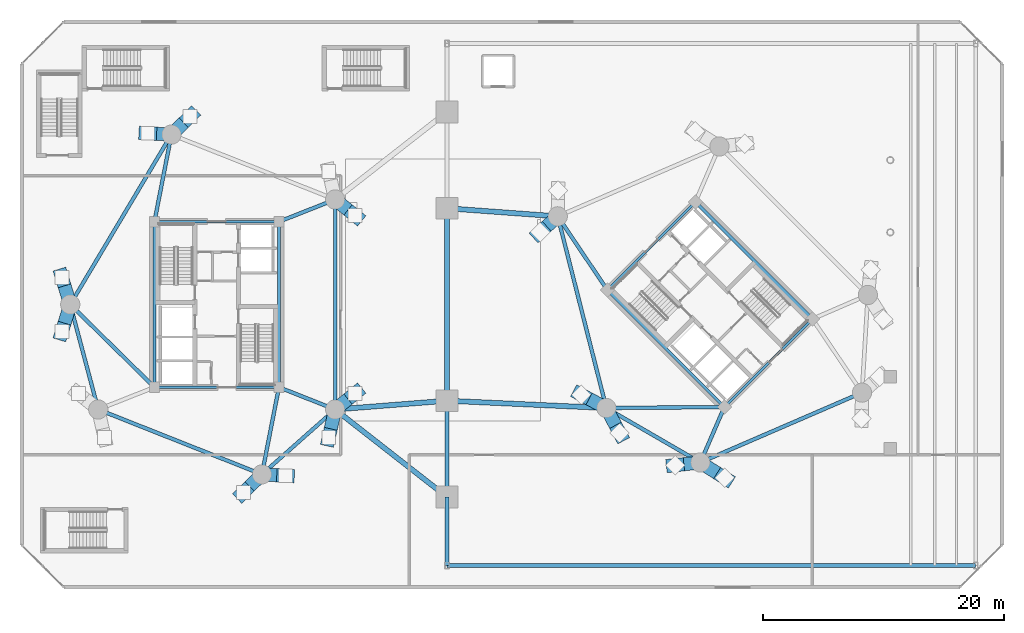
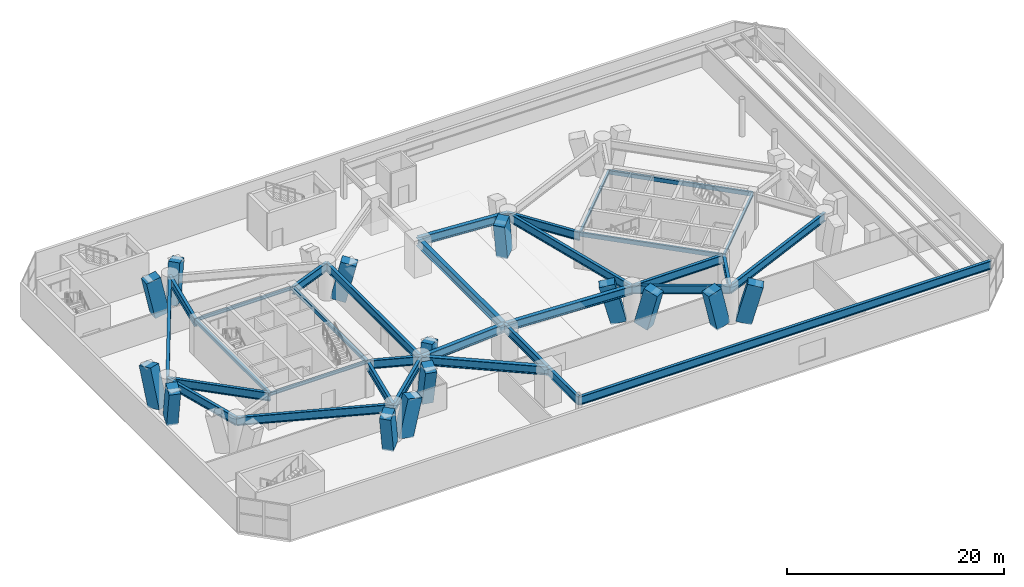
# One storey, part 4 of 20: 32 beams, 14 members.
"""IFC4 building model written with IfcOpenShell, lengths in metres."""

import ifcopenshell
import ifcopenshell.guid

model = None  # the IFC model being written
_history = None  # IfcOwnerHistory: only IFC2X3 demands one
_inside = {}  # id of a spatial element -> (the spatial element, [elements in it])
_under = {}  # id of a project, library or spatial element -> (it, [spatial elements below it])
_declared = {}  # id of a project -> (the project, [libraries it declares])
_typed = {}  # id of a type object -> (the type object, [elements of that type])
_made_of = {}  # id of a material, layer set ... -> (it, [elements and type objects made of it])


def new_model(schema):
    """Start an empty IFC model of exactly this schema.

    Asked for "IFC4X3", IfcOpenShell would pick the latest addendum, in which some entities
    have other attributes; the version numbers below select the first issue.
    IFC2X3 requires an IfcOwnerHistory on every rooted entity: one is made here for all.
    """
    global model, _history
    if schema == "IFC4X3":
        model = ifcopenshell.file(schema_version=(4, 3, 0, 0))
    else:
        model = ifcopenshell.file(schema=schema)
    _inside.clear()
    _under.clear()
    _declared.clear()
    _typed.clear()
    _made_of.clear()
    _history = None
    if model.schema == "IFC2X3":
        org = make("IfcOrganization", Name="unknown")
        user = make(
            "IfcPersonAndOrganization",
            ThePerson=make("IfcPerson", FamilyName="unknown"),
            TheOrganization=org,
        )
        app = make(
            "IfcApplication",
            ApplicationDeveloper=org,
            Version="unknown",
            ApplicationFullName="unknown",
            ApplicationIdentifier="unknown",
        )
        _history = make(
            "IfcOwnerHistory",
            OwningUser=user,
            OwningApplication=app,
            ChangeAction="ADDED",
            CreationDate=0,
        )
    return model


def make(cls, **values):
    """One entity of the class cls with the attributes given. An attribute that is None is left unset."""
    return model.create_entity(
        cls, **{name: value for name, value in values.items() if value is not None}
    )


def rooted(cls, **values):
    """An entity with a GlobalId (a new one), such as an element, a storey or a relation."""
    return make(cls, GlobalId=ifcopenshell.guid.new(), OwnerHistory=_history, **values)


def si_unit(unit_type, name, prefix=None):
    """IfcSIUnit, for example si_unit("LENGTHUNIT", "METRE", prefix="MILLI")."""
    return make("IfcSIUnit", UnitType=unit_type, Prefix=prefix, Name=name)


def assignment(units):
    """IfcUnitAssignment: the units of a project."""
    return None if units is None else make("IfcUnitAssignment", Units=units)


def point(xyz):
    """IfcCartesianPoint."""
    return None if xyz is None else make("IfcCartesianPoint", Coordinates=xyz)


def direction(xyz):
    """IfcDirection."""
    return None if xyz is None else make("IfcDirection", DirectionRatios=xyz)


def frame(location, z_axis=None, x_axis=None):
    """IfcAxis2Placement3D, a coordinate frame: its origin and axes. An axis left out is left unset."""
    return make(
        "IfcAxis2Placement3D",
        Location=point(location),
        Axis=direction(z_axis),
        RefDirection=direction(x_axis),
    )


def frame_2d(location, x_axis=None):
    """IfcAxis2Placement2D, a coordinate frame in the plane: its origin and x axis."""
    return make(
        "IfcAxis2Placement2D", Location=point(location), RefDirection=direction(x_axis)
    )


def origin():
    """The frame at (0, 0, 0) with its axes left unset."""
    return frame((0.0, 0.0, 0.0))


def origin_2d():
    """The frame at (0, 0) in the plane with its x axis left unset."""
    return frame_2d((0.0, 0.0))


def place(relative_to, where):
    """IfcLocalPlacement: puts the frame where relative to a parent placement (None: the world)."""
    return make(
        "IfcLocalPlacement", PlacementRelTo=relative_to, RelativePlacement=where
    )


def context(
    kind, dimensions, precision=None, world=None, true_north=None, identifier=None
):
    """IfcGeometricRepresentationContext, for example the 3D "Model" context."""
    return make(
        "IfcGeometricRepresentationContext",
        ContextIdentifier=identifier,
        ContextType=kind,
        CoordinateSpaceDimension=dimensions,
        Precision=precision,
        WorldCoordinateSystem=world,
        TrueNorth=true_north,
    )


def subcontext(parent, identifier, kind, view, scale=None):
    """IfcGeometricRepresentationSubContext, for example "Body" below "Model"."""
    return make(
        "IfcGeometricRepresentationSubContext",
        ContextIdentifier=identifier,
        ContextType=kind,
        ParentContext=parent,
        TargetScale=scale,
        TargetView=view,
    )


def project(units=None, contexts=None):
    """IfcProject with its units and contexts."""
    return rooted(
        "IfcProject",
        Name="project",
        RepresentationContexts=contexts,
        UnitsInContext=assignment(units),
    )


def spatial(cls, under=None, at=None, **own):
    """A site, building, storey or space (cls), placed at a placement, below another one or the project."""
    s = rooted(cls, ObjectPlacement=at, **own)
    if under is not None:
        _under.setdefault(under.id(), (under, []))[1].append(s)
    return s


def profile(cls, at=None, kind="AREA", **sizes):
    """A parametric profile (cls). Its sizes go by their IFC names, for example OverallWidth=200.0."""
    return make(cls, ProfileType=kind, Position=at, **sizes)


def rectangle(**sizes):
    """IfcRectangleProfileDef."""
    return profile("IfcRectangleProfileDef", **sizes)


def hollow_rectangle(**sizes):
    """IfcRectangleHollowProfileDef."""
    return profile("IfcRectangleHollowProfileDef", **sizes)


def i_section(**sizes):
    """IfcIShapeProfileDef."""
    return profile("IfcIShapeProfileDef", **sizes)


def extrude(swept, where, along, depth):
    """IfcExtrudedAreaSolid: the profile swept, set in the frame where, extruded along a direction by depth."""
    return make(
        "IfcExtrudedAreaSolid",
        SweptArea=swept,
        Position=where,
        ExtrudedDirection=direction(along),
        Depth=depth,
    )


def shape(context_of_items, identifier, shape_type, items):
    """IfcShapeRepresentation: the items that make up one representation, for example the "Body"."""
    return make(
        "IfcShapeRepresentation",
        ContextOfItems=context_of_items,
        RepresentationIdentifier=identifier,
        RepresentationType=shape_type,
        Items=items,
    )


def material(Name=None, Category=None):
    """IfcMaterial."""
    return make("IfcMaterial", Name=Name, Category=Category)


def material_profile(
    of_material, cross_section, Name=None, Category=None, Priority=None
):
    """IfcMaterialProfile: a cross section and its material."""
    return make(
        "IfcMaterialProfile",
        Name=Name,
        Material=of_material,
        Profile=cross_section,
        Priority=Priority,
        Category=Category,
    )


def profile_set(profiles, Name=None, composite=None):
    """IfcMaterialProfileSet."""
    return make(
        "IfcMaterialProfileSet",
        Name=Name,
        MaterialProfiles=profiles,
        CompositeProfile=composite,
    )


def made_of(thing, what):
    """Note that an element or type object is made of a material, layer set ...; save() writes the relation."""
    if what is not None:
        _made_of.setdefault(what.id(), (what, []))[1].append(thing)
    return thing


def type_object(cls, material=None, **own):
    """A type object (cls), such as IfcWallType, which elements share."""
    return made_of(rooted(cls, **own), material)


def element(
    cls,
    number,
    at=None,
    inside=None,
    cuts=None,
    type_object=None,
    material=None,
    context=None,
    identifier="Body",
    shape_type=None,
    held_by="IfcProductDefinitionShape",
    body=None,
    shapes=None,
    **own,
):
    """One element of the class cls, such as IfcWall. Its Tag is "e" and its number.

    at: its placement. inside: the storey or other place that contains it. cuts: it is an
    opening in that element (IfcRelVoidsElement). A single representation is given by context,
    identifier, shape_type and body (its items); several are given by shapes. held_by: the class
    of the entity that holds the representations. save() writes the other relations.
    """
    e = rooted(cls, Tag="e%d" % number, ObjectPlacement=at, **own)
    if body is not None:
        shapes = [shape(context, identifier, shape_type, body)]
    if shapes is not None:
        e.Representation = make(held_by, Representations=shapes)
    if inside is not None:
        _inside.setdefault(inside.id(), (inside, []))[1].append(e)
    if cuts is not None:
        rooted(
            "IfcRelVoidsElement", RelatingBuildingElement=cuts, RelatedOpeningElement=e
        )
    if type_object is not None:
        _typed.setdefault(type_object.id(), (type_object, []))[1].append(e)
    return made_of(e, material)


def aggregate(whole, parts):
    """IfcRelAggregates: a whole, such as a stair, and the parts it consists of."""
    return rooted("IfcRelAggregates", RelatingObject=whole, RelatedObjects=parts)


def save(model, path):
    """Write the relations noted so far, then the file.

    IfcRelAggregates (storeys below a building ...), IfcRelContainedInSpatialStructure (elements
    in a storey), IfcRelDefinesByType, IfcRelAssociatesMaterial and IfcRelDeclares: one each for
    every whole, place, type object, material and project.
    """
    for whole, parts in _under.values():
        aggregate(whole, parts)
    for where, things in _inside.values():
        rooted(
            "IfcRelContainedInSpatialStructure",
            RelatedElements=things,
            RelatingStructure=where,
        )
    for kind, things in _typed.values():
        rooted("IfcRelDefinesByType", RelatedObjects=things, RelatingType=kind)
    for what, things in _made_of.values():
        rooted("IfcRelAssociatesMaterial", RelatedObjects=things, RelatingMaterial=what)
    for by, libraries in _declared.values():
        rooted("IfcRelDeclares", RelatingContext=by, RelatedDefinitions=libraries)
    model.write(path)


model = new_model("IFC4")

# Units and contexts
model_context = context("Model", 3, precision=1e-05, world=origin(), true_north=direction((0.0, 1.0)))
body_context = subcontext(model_context, "Body", "Model", "MODEL_VIEW")
ifc_project = project(units=[si_unit("LENGTHUNIT", "METRE"), si_unit("AREAUNIT", "SQUARE_METRE"), si_unit("VOLUMEUNIT", "CUBIC_METRE"), si_unit("PLANEANGLEUNIT", "RADIAN"), si_unit("MASSUNIT", "GRAM", prefix="KILO")], contexts=[model_context])

# Site, building, storey
site_placement = place(None, origin())
site = spatial("IfcSite", under=ifc_project, at=site_placement, CompositionType="ELEMENT")
building_placement = place(site_placement, origin())
building = spatial("IfcBuilding", under=site, at=building_placement, Name="Cununo Teusaquillo Station Towers", CompositionType="ELEMENT")
storey_placement = place(building_placement, frame((0.0, 0.0, 4.800048828125)))
storey = spatial("IfcBuildingStorey", under=building, at=storey_placement, Name="L01", CompositionType="ELEMENT", Elevation=4.800048828125)

# Beams
ifc_material_1 = material(Name="Steel EN 10025-2 S355J2", Category="steel")
ifc_material_profile_1 = material_profile(ifc_material_1, hollow_rectangle(XDim=0.25, YDim=0.449951171875, WallThickness=0.01611328125, at=origin_2d()), Name="RHS 450x250x16")
ifc_profile_set_1 = profile_set([ifc_material_profile_1], Name="Steel EN 10025-2 S355J2")
beam_type_1 = type_object("IfcBeamType", Name="BM-COUP-1", PredefinedType="USERDEFINED", material=ifc_profile_set_1)
for number, where, z_axis, x_axis, name in (
    (1, (11.324951171875, 17.6201171875, 3.675048828125), (0.0, 1.0, 0.0), (-1.0, 0.0, 0.0), "L01 Tower A Core Beam 1"),
    (2, (21.675048828125, 17.6201171875, 3.675048828125), (0.0, 1.0, 0.0), (-1.0, 0.0, 0.0), "L01 Tower A Core Beam 2"),
):
    element("IfcBeam", number, at=place(storey_placement, frame(where, z_axis=z_axis, x_axis=x_axis)), inside=storey, type_object=beam_type_1, Name=name, ObjectType="COUPLING BEAM", PredefinedType="USERDEFINED", context=body_context, shape_type="SweptSolid", body=[
        extrude(hollow_rectangle(XDim=0.25, YDim=0.449951171875, WallThickness=0.01611328125, at=origin_2d()), origin(), (0.0, 0.0, 1.0), 13.759765625),
    ])
for number, where, z_axis, x_axis, name in (
    (3, (58.70556640625, 15.975830078125, 3.675048828125), (-0.707106781187, 0.707106781187, 0.0), (-0.707106781187, -0.707106781187, 0.0), "L01 Tower B Core Beam 1"),
    (4, (66.024169921875, 23.29443359375, 3.675048828125), (-0.707106781187, 0.707106781187, 0.0), (-0.707106781187, -0.707106781187, 0.0), "L01 Tower B Core Beam 2"),
):
    element("IfcBeam", number, at=place(storey_placement, frame(where, z_axis=z_axis, x_axis=x_axis)), inside=storey, type_object=beam_type_1, Name=name, ObjectType="COUPLING BEAM", PredefinedType="USERDEFINED", context=body_context, shape_type="SweptSolid", body=[
        extrude(hollow_rectangle(XDim=0.25, YDim=0.449951171875, WallThickness=0.01611328125, at=origin_2d()), origin(), (0.0, 0.0, 1.0), 13.760009765625),
    ])
ifc_material_2 = material(Name="Steel ASTM A572 Grade 50", Category="steel")
ifc_material_profile_2 = material_profile(ifc_material_2, i_section(OverallWidth=0.2041015625, OverallDepth=0.35009765625, WebThickness=0.008544921875, FlangeThickness=0.01513671875, FilletRadius=0.011962890625, at=origin_2d()), Name="W14X48")
ifc_profile_set_2 = profile_set([ifc_material_profile_2], Name="Steel ASTM A572 Grade 50")
beam_type_2 = type_object("IfcBeamType", Name="BM-LINTEL-1", PredefinedType="LINTEL", material=ifc_profile_set_2)
for number, where, z_axis, x_axis, name in (
    (5, (11.324951171875, 17.6201171875, 3.724853515625), (1.0, 0.0, 0.0), (0.0, 1.0, 0.0), "L01 Tower A Core Beam 3"),
    (6, (11.324951171875, 31.3798828125, 3.724853515625), (1.0, 0.0, 0.0), (0.0, 1.0, 0.0), "L01 Tower A Core Beam 4"),
    (7, (58.70556640625, 15.975830078125, 3.724853515625), (0.707106781187, 0.707106781187, 0.0), (-0.707106781187, 0.707106781187, 0.0), "L01 Tower B Core Beam 3"),
    (8, (48.975830078125, 25.70556640625, 3.724853515625), (0.707106781187, 0.707106781187, 0.0), (-0.707106781187, 0.707106781187, 0.0), "L01 Tower B Core Beam 4"),
):
    element("IfcBeam", number, at=place(storey_placement, frame(where, z_axis=z_axis, x_axis=x_axis)), inside=storey, type_object=beam_type_2, Name=name, PredefinedType="LINTEL", context=body_context, shape_type="SweptSolid", body=[
        extrude(i_section(OverallWidth=0.2041015625, OverallDepth=0.35009765625, WebThickness=0.008544921875, FlangeThickness=0.01513671875, FilletRadius=0.011962890625, at=origin_2d()), origin(), (0.0, 0.0, 1.0), 10.35009765625),
    ])
ifc_material_3 = material(Name="Steel ASTM A572 Grade 50", Category="steel")
ifc_material_profile_3 = material_profile(ifc_material_3, i_section(OverallWidth=0.30810546875, OverallDepth=0.943115234375, WebThickness=0.022216796875, FlangeThickness=0.039794921875, FilletRadius=0.02392578125, at=origin_2d()), Name="W36X232")
ifc_profile_set_3 = profile_set([ifc_material_profile_3], Name="Steel ASTM A572 Grade 50")
beam_type_3 = type_object("IfcBeamType", Name="BM-POD-SEC", PredefinedType="BEAM", material=ifc_profile_set_3)
beam_1_placement = place(storey_placement, frame((12.738525390625, 38.623291015625, 3.428466796875), z_axis=(-0.511660099054, -0.859187955593, 0.0), x_axis=(0.859187955593, -0.511660099054, 0.0)))
element("IfcBeam", 9, at=beam_1_placement, inside=storey, type_object=beam_type_3, Name="L01 Tower A Podium Perimeter Girder 2", PredefinedType="BEAM", context=body_context, shape_type="SweptSolid", body=[
    extrude(i_section(OverallWidth=0.30810546875, OverallDepth=0.943115234375, WebThickness=0.022216796875, FlangeThickness=0.039794921875, FilletRadius=0.02392578125, at=origin_2d()), origin(), (0.0, 0.0, 1.0), 16.43798828125),
])
beam_2_placement = place(storey_placement, frame((4.327880859375, 24.5, 3.428466796875), z_axis=(0.257363196347, -0.966314744359, 0.0), x_axis=(0.966314744359, 0.257363196347, 0.0)))
element("IfcBeam", 10, at=beam_2_placement, inside=storey, type_object=beam_type_3, Name="L01 Tower A Podium Perimeter Girder 3", PredefinedType="BEAM", context=body_context, shape_type="SweptSolid", body=[
    extrude(i_section(OverallWidth=0.30810546875, OverallDepth=0.943115234375, WebThickness=0.022216796875, FlangeThickness=0.039794921875, FilletRadius=0.02392578125, at=origin_2d()), origin(), (0.0, 0.0, 1.0), 9.03271484375),
])
beam_3_placement = place(storey_placement, frame((6.652587890625, 15.771484375, 3.428466796875), z_axis=(0.929621249939, -0.368516392664, 0.0), x_axis=(0.368516392664, 0.929621249939, 0.0)))
element("IfcBeam", 11, at=beam_3_placement, inside=storey, type_object=beam_type_3, Name="L01 Tower A Podium Perimeter Girder 4", PredefinedType="BEAM", context=body_context, shape_type="SweptSolid", body=[
    extrude(i_section(OverallWidth=0.30810546875, OverallDepth=0.943115234375, WebThickness=0.022216796875, FlangeThickness=0.039794921875, FilletRadius=0.02392578125, at=origin_2d()), origin(), (0.0, 0.0, 1.0), 14.63916015625),
])
beam_4_placement = place(storey_placement, frame((20.261474609375, 10.376708984375, 3.428466796875), z_axis=(0.74832120039, 0.66333655187, 0.0), x_axis=(-0.66333655187, 0.74832120039, 0.0)))
element("IfcBeam", 12, at=beam_4_placement, inside=storey, type_object=beam_type_3, Name="L01 Tower A Podium Perimeter Girder 5", PredefinedType="BEAM", context=body_context, shape_type="SweptSolid", body=[
    extrude(i_section(OverallWidth=0.30810546875, OverallDepth=0.943115234375, WebThickness=0.022216796875, FlangeThickness=0.039794921875, FilletRadius=0.02392578125, at=origin_2d()), origin(), (0.0, 0.0, 1.0), 8.1328125),
])
beam_5_placement = place(storey_placement, frame((26.347412109375, 15.771484375, 3.428466796875), z_axis=(0.0, 1.0, 0.0), x_axis=(-1.0, 0.0, 0.0)))
element("IfcBeam", 13, at=beam_5_placement, inside=storey, type_object=beam_type_3, Name="L01 Tower A Podium Perimeter Girder 6", PredefinedType="BEAM", context=body_context, shape_type="SweptSolid", body=[
    extrude(i_section(OverallWidth=0.30810546875, OverallDepth=0.943115234375, WebThickness=0.022216796875, FlangeThickness=0.039794921875, FilletRadius=0.02392578125, at=origin_2d()), origin(), (0.0, 0.0, 1.0), 17.45703125),
])
beam_6_placement = place(storey_placement, frame((21.675048828125, 31.3798828125, 3.428466796875), z_axis=(0.929864104313, 0.367903176814, 0.0), x_axis=(-0.367903176814, 0.929864104313, 0.0)))
element("IfcBeam", 14, at=beam_6_placement, inside=storey, type_object=beam_type_3, Name="L01 Tower A Podium Radial Girder 1", PredefinedType="BEAM", context=body_context, shape_type="SweptSolid", body=[
    extrude(i_section(OverallWidth=0.30810546875, OverallDepth=0.943115234375, WebThickness=0.022216796875, FlangeThickness=0.039794921875, FilletRadius=0.02392578125, at=origin_2d()), origin(), (0.0, 0.0, 1.0), 5.02490234375),
])
beam_7_placement = place(storey_placement, frame((11.324951171875, 31.3798828125, 3.428466796875), z_axis=(0.191539895403, 0.981484828446, 0.0), x_axis=(-0.981484828446, 0.191539895403, 0.0)))
element("IfcBeam", 15, at=beam_7_placement, inside=storey, type_object=beam_type_3, Name="L01 Tower A Podium Radial Girder 2", PredefinedType="BEAM", context=body_context, shape_type="SweptSolid", body=[
    extrude(i_section(OverallWidth=0.30810546875, OverallDepth=0.943115234375, WebThickness=0.022216796875, FlangeThickness=0.039794921875, FilletRadius=0.02392578125, at=origin_2d()), origin(), (0.0, 0.0, 1.0), 7.380126953125),
])
beam_8_placement = place(storey_placement, frame((11.324951171875, 17.6201171875, 3.428466796875), z_axis=(-0.713052701438, 0.701110437073, 0.0), x_axis=(-0.701110437073, -0.713052701438, 0.0)))
element("IfcBeam", 16, at=beam_8_placement, inside=storey, type_object=beam_type_3, Name="L01 Tower A Podium Radial Girder 3", PredefinedType="BEAM", context=body_context, shape_type="SweptSolid", body=[
    extrude(i_section(OverallWidth=0.30810546875, OverallDepth=0.943115234375, WebThickness=0.022216796875, FlangeThickness=0.039794921875, FilletRadius=0.02392578125, at=origin_2d()), origin(), (0.0, 0.0, 1.0), 9.812744140625),
])
beam_9_placement = place(storey_placement, frame((21.675048828125, 17.6201171875, 3.428466796875), z_axis=(-0.191539895403, -0.981484828446, 0.0), x_axis=(0.981484828446, -0.191539895403, 0.0)))
element("IfcBeam", 17, at=beam_9_placement, inside=storey, type_object=beam_type_3, Name="L01 Tower A Podium Radial Girder 5", PredefinedType="BEAM", context=body_context, shape_type="SweptSolid", body=[
    extrude(i_section(OverallWidth=0.30810546875, OverallDepth=0.943115234375, WebThickness=0.022216796875, FlangeThickness=0.039794921875, FilletRadius=0.02392578125, at=origin_2d()), origin(), (0.0, 0.0, 1.0), 7.380126953125),
])
beam_10_placement = place(storey_placement, frame((21.675048828125, 17.6201171875, 3.428466796875), z_axis=(0.929864104313, -0.367903176814, 0.0), x_axis=(0.367903176814, 0.929864104313, 0.0)))
element("IfcBeam", 18, at=beam_10_placement, inside=storey, type_object=beam_type_3, Name="L01 Tower A Podium Radial Girder 6", PredefinedType="BEAM", context=body_context, shape_type="SweptSolid", body=[
    extrude(i_section(OverallWidth=0.30810546875, OverallDepth=0.943115234375, WebThickness=0.022216796875, FlangeThickness=0.039794921875, FilletRadius=0.02392578125, at=origin_2d()), origin(), (0.0, 0.0, 1.0), 5.02490234375),
])
beam_11_placement = place(storey_placement, frame((44.853759765625, 31.826904296875, 3.428466796875), z_axis=(0.245731928557, -0.969337825161, 0.0), x_axis=(0.969337825161, 0.245731928557, 0.0)))
element("IfcBeam", 19, at=beam_11_placement, inside=storey, type_object=beam_type_3, Name="L01 Tower B Podium Perimeter Girder 2", PredefinedType="BEAM", context=body_context, shape_type="SweptSolid", body=[
    extrude(i_section(OverallWidth=0.30810546875, OverallDepth=0.943115234375, WebThickness=0.022216796875, FlangeThickness=0.039794921875, FilletRadius=0.02392578125, at=origin_2d()), origin(), (0.0, 0.0, 1.0), 16.437744140625),
])
beam_12_placement = place(storey_placement, frame((48.89306640625, 15.89306640625, 3.428466796875), z_axis=(0.865267103202, -0.501311121078, 0.0), x_axis=(0.501311121078, 0.865267103202, 0.0)))
element("IfcBeam", 20, at=beam_12_placement, inside=storey, type_object=beam_type_3, Name="L01 Tower B Podium Perimeter Girder 3", PredefinedType="BEAM", context=body_context, shape_type="SweptSolid", body=[
    extrude(i_section(OverallWidth=0.30810546875, OverallDepth=0.943115234375, WebThickness=0.022216796875, FlangeThickness=0.039794921875, FilletRadius=0.02392578125, at=origin_2d()), origin(), (0.0, 0.0, 1.0), 9.032958984375),
])
beam_13_placement = place(storey_placement, frame((56.708984375, 11.36474609375, 3.428466796875), z_axis=(0.917915648818, 0.396775580971, 0.0), x_axis=(-0.396775580971, 0.917915648818, 0.0)))
element("IfcBeam", 21, at=beam_13_placement, inside=storey, type_object=beam_type_3, Name="L01 Tower B Podium Perimeter Girder 4", PredefinedType="BEAM", context=body_context, shape_type="SweptSolid", body=[
    extrude(i_section(OverallWidth=0.30810546875, OverallDepth=0.943115234375, WebThickness=0.022216796875, FlangeThickness=0.039794921875, FilletRadius=0.02392578125, at=origin_2d()), origin(), (0.0, 0.0, 1.0), 14.638916015625),
])
beam_14_placement = place(storey_placement, frame((48.975830078125, 25.70556640625, 3.428466796875), z_axis=(-0.558557182486, 0.829466017323, 0.0), x_axis=(-0.829466017323, -0.558557182486, 0.0)))
element("IfcBeam", 22, at=beam_14_placement, inside=storey, type_object=beam_type_3, Name="L01 Tower B Podium Radial Girder 2", PredefinedType="BEAM", context=body_context, shape_type="SweptSolid", body=[
    extrude(i_section(OverallWidth=0.30810546875, OverallDepth=0.943115234375, WebThickness=0.022216796875, FlangeThickness=0.039794921875, FilletRadius=0.02392578125, at=origin_2d()), origin(), (0.0, 0.0, 1.0), 7.3798828125),
])
beam_15_placement = place(storey_placement, frame((58.70556640625, 15.975830078125, 3.428466796875), z_axis=(-0.999964431382, -0.008434214327, 0.0), x_axis=(0.008434214327, -0.999964431382, 0.0)))
element("IfcBeam", 23, at=beam_15_placement, inside=storey, type_object=beam_type_3, Name="L01 Tower B Podium Radial Girder 3", PredefinedType="BEAM", context=body_context, shape_type="SweptSolid", body=[
    extrude(i_section(OverallWidth=0.30810546875, OverallDepth=0.943115234375, WebThickness=0.022216796875, FlangeThickness=0.039794921875, FilletRadius=0.02392578125, at=origin_2d()), origin(), (0.0, 0.0, 1.0), 9.812744140625),
])
beam_16_placement = place(storey_placement, frame((58.70556640625, 15.975830078125, 3.428466796875), z_axis=(-0.397346986387, -0.917668443616, 0.0), x_axis=(0.917668443616, -0.397346986387, 0.0)))
element("IfcBeam", 24, at=beam_16_placement, inside=storey, type_object=beam_type_3, Name="L01 Tower B Podium Radial Girder 4", PredefinedType="BEAM", context=body_context, shape_type="SweptSolid", body=[
    extrude(i_section(OverallWidth=0.30810546875, OverallDepth=0.943115234375, WebThickness=0.022216796875, FlangeThickness=0.039794921875, FilletRadius=0.02392578125, at=origin_2d()), origin(), (0.0, 0.0, 1.0), 5.02490234375),
])
beam_17_placement = place(storey_placement, frame((35.64990234375, 2.800048828125, 3.428466796875), z_axis=(0.0, 1.0, 0.0), x_axis=(-1.0, 0.0, 0.0)))
element("IfcBeam", 25, at=beam_17_placement, inside=storey, type_object=beam_type_3, Name="L01 Station Podium Girder NS-1", PredefinedType="BEAM", context=body_context, shape_type="SweptSolid", body=[
    extrude(i_section(OverallWidth=0.30810546875, OverallDepth=0.943115234375, WebThickness=0.022216796875, FlangeThickness=0.039794921875, FilletRadius=0.02392578125, at=origin_2d()), origin(), (0.0, 0.0, 1.0), 5.699951171875),
])
beam_18_placement = place(storey_placement, frame((35.64990234375, 8.5, 3.428466796875), z_axis=(0.0, 1.0, 0.0), x_axis=(-1.0, 0.0, 0.0)))
element("IfcBeam", 26, at=beam_18_placement, inside=storey, type_object=beam_type_3, Name="L01 Station Podium Girder NS-2", PredefinedType="BEAM", context=body_context, shape_type="SweptSolid", body=[
    extrude(i_section(OverallWidth=0.30810546875, OverallDepth=0.943115234375, WebThickness=0.022216796875, FlangeThickness=0.039794921875, FilletRadius=0.02392578125, at=origin_2d()), origin(), (0.0, 0.0, 1.0), 8.0),
])
beam_19_placement = place(storey_placement, frame((35.64990234375, 2.800048828125, 3.428466796875), z_axis=(1.0, 0.0, 0.0), x_axis=(0.0, 1.0, 0.0)))
element("IfcBeam", 27, at=beam_19_placement, inside=storey, type_object=beam_type_3, Name="L01 Station Podium Girder CAN-S", PredefinedType="BEAM", context=body_context, shape_type="SweptSolid", body=[
    extrude(i_section(OverallWidth=0.30810546875, OverallDepth=0.943115234375, WebThickness=0.022216796875, FlangeThickness=0.039794921875, FilletRadius=0.02392578125, at=origin_2d()), origin(), (0.0, 0.0, 1.0), 43.9501953125),
])
ifc_material_4 = material(Name="Steel ASTM A572 Grade 50", Category="steel")
ifc_material_profile_4 = material_profile(ifc_material_4, i_section(OverallWidth=0.423095703125, OverallDepth=0.947998046875, WebThickness=0.02392578125, FlangeThickness=0.042724609375, FilletRadius=0.02392578125, at=origin_2d()), Name="W36X302")
ifc_profile_set_4 = profile_set([ifc_material_profile_4], Name="Steel ASTM A572 Grade 50")
beam_type_4 = type_object("IfcBeamType", Name="BM-POD-SPAN", PredefinedType="BEAM", material=ifc_profile_set_4)
beam_20_placement = place(storey_placement, frame((35.64990234375, 16.5, 3.426025390625), z_axis=(0.0, 1.0, 0.0), x_axis=(-1.0, 0.0, 0.0)))
element("IfcBeam", 28, at=beam_20_placement, inside=storey, type_object=beam_type_4, Name="L01 Station Podium Girder NS-HALL", PredefinedType="BEAM", context=body_context, shape_type="SweptSolid", body=[
    extrude(i_section(OverallWidth=0.423095703125, OverallDepth=0.947998046875, WebThickness=0.02392578125, FlangeThickness=0.042724609375, FilletRadius=0.02392578125, at=origin_2d()), origin(), (0.0, 0.0, 1.0), 16.0),
])
beam_21_placement = place(storey_placement, frame((26.347412109375, 15.771484375, 3.426025390625), z_axis=(0.787863531103, -0.615849865112, 0.0), x_axis=(0.615849865112, 0.787863531103, 0.0)))
element("IfcBeam", 29, at=beam_21_placement, inside=storey, type_object=beam_type_4, Name="L01 Station Podium Girder EW-S", PredefinedType="BEAM", context=body_context, shape_type="SweptSolid", body=[
    extrude(i_section(OverallWidth=0.423095703125, OverallDepth=0.947998046875, WebThickness=0.02392578125, FlangeThickness=0.042724609375, FilletRadius=0.02392578125, at=origin_2d()), origin(), (0.0, 0.0, 1.0), 11.80712890625),
])
beam_22_placement = place(storey_placement, frame((26.347412109375, 15.771484375, 3.426025390625), z_axis=(0.996947489132, 0.078074989045, 0.0), x_axis=(-0.078074989045, 0.996947489132, 0.0)))
element("IfcBeam", 30, at=beam_22_placement, inside=storey, type_object=beam_type_4, Name="L01 Station Podium Girder EW-M1", PredefinedType="BEAM", context=body_context, shape_type="SweptSolid", body=[
    extrude(i_section(OverallWidth=0.423095703125, OverallDepth=0.947998046875, WebThickness=0.02392578125, FlangeThickness=0.042724609375, FilletRadius=0.02392578125, at=origin_2d()), origin(), (0.0, 0.0, 1.0), 9.3310546875),
])
beam_23_placement = place(storey_placement, frame((35.64990234375, 32.5, 3.426025390625), z_axis=(0.997336540567, -0.072937129429, 0.0), x_axis=(0.072937129429, 0.997336540567, 0.0)))
element("IfcBeam", 31, at=beam_23_placement, inside=storey, type_object=beam_type_4, Name="L01 Station Podium Girder EW-M2", PredefinedType="BEAM", context=body_context, shape_type="SweptSolid", body=[
    extrude(i_section(OverallWidth=0.423095703125, OverallDepth=0.947998046875, WebThickness=0.02392578125, FlangeThickness=0.042724609375, FilletRadius=0.02392578125, at=origin_2d()), origin(), (0.0, 0.0, 1.0), 9.228515625),
])
beam_24_placement = place(storey_placement, frame((35.64990234375, 16.5, 3.426025390625), z_axis=(0.998951459145, -0.045781898965, 0.0), x_axis=(0.045781898965, 0.998951459145, 0.0)))
element("IfcBeam", 32, at=beam_24_placement, inside=storey, type_object=beam_type_4, Name="L01 Station Podium Girder EW-M3", PredefinedType="BEAM", context=body_context, shape_type="SweptSolid", body=[
    extrude(i_section(OverallWidth=0.423095703125, OverallDepth=0.947998046875, WebThickness=0.02392578125, FlangeThickness=0.042724609375, FilletRadius=0.02392578125, at=origin_2d()), origin(), (0.0, 0.0, 1.0), 13.257080078125),
])

# Members
ifc_material_5 = material(Name="Concrete C60/75", Category="concrete")
ifc_material_profile_5 = material_profile(ifc_material_5, rectangle(XDim=1.10009765625, YDim=1.5, at=origin_2d()), Name="RC-RECT-1500x1100")
ifc_profile_set_5 = profile_set([ifc_material_profile_5], Name="Concrete C60/75")
member_type = type_object("IfcMemberType", Name="MBR-VFOOT", PredefinedType="USERDEFINED", material=ifc_profile_set_5)
member_1_placement = place(storey_placement, frame((27.222412109375, 32.523681640625, 0.0), z_axis=(0.177494556826, -0.1430257478, 0.973673106213), x_axis=(0.627446649837, 0.778659554368, 0.0)))
element("IfcMember", 33, at=member_1_placement, inside=storey, type_object=member_type, Name="L01 Tower A Sloping Concrete V-Foot V02L", ObjectType="V FOOT STRUT", PredefinedType="USERDEFINED", context=body_context, shape_type="SweptSolid", body=[
    extrude(rectangle(XDim=1.10009765625, YDim=1.5, at=origin_2d()), origin(), (0.0, 0.0, 1.0), 4.3134765625),
])
member_2_placement = place(storey_placement, frame((13.559326171875, 39.423095703125, 0.0), z_axis=(0.166283469646, 0.162156066285, 0.972653698851), x_axis=(-0.698165651843, 0.715936255952, 0.0)))
element("IfcMember", 34, at=member_2_placement, inside=storey, type_object=member_type, Name="L01 Tower A Sloping Concrete V-Foot V06L", ObjectType="V FOOT STRUT", PredefinedType="USERDEFINED", context=body_context, shape_type="SweptSolid", body=[
    extrude(rectangle(XDim=1.10009765625, YDim=1.5, at=origin_2d()), origin(), (0.0, 0.0, 1.0), 4.318115234375),
])
member_3_placement = place(storey_placement, frame((11.690673828125, 38.681884765625, 0.0), z_axis=(-0.213293693853, 0.011982153728, 0.976914647323), x_axis=(-0.056088350848, -0.998425809412, 0.0)))
element("IfcMember", 35, at=member_3_placement, inside=storey, type_object=member_type, Name="L01 Tower A Sloping Concrete V-Foot V06R", ObjectType="V FOOT STRUT", PredefinedType="USERDEFINED", context=body_context, shape_type="SweptSolid", body=[
    extrude(rectangle(XDim=1.10009765625, YDim=1.5, at=origin_2d()), origin(), (0.0, 0.0, 1.0), 4.29931640625),
])
for number, where, z_axis, x_axis, name in (
    (36, (3.960205078125, 25.699462890625, 0.0), (-0.07418126528, 0.241721818176, 0.967505918586), (-0.955995166272, -0.29338241608, 0.0), "L01 Tower A Sloping Concrete V-Foot V10L"),
    (37, (3.960205078125, 23.300537109375, 0.0), (-0.07418126528, -0.241721818176, 0.967505918586), (0.955995166272, -0.29338241608, 0.0), "L01 Tower A Sloping Concrete V-Foot V10R"),
):
    element("IfcMember", number, at=place(storey_placement, frame(where, z_axis=z_axis, x_axis=x_axis)), inside=storey, type_object=member_type, Name=name, ObjectType="V FOOT STRUT", PredefinedType="USERDEFINED", context=body_context, shape_type="SweptSolid", body=[
        extrude(rectangle(XDim=1.10009765625, YDim=1.5, at=origin_2d()), origin(), (0.0, 0.0, 1.0), 4.341064453125),
    ])
member_4_placement = place(storey_placement, frame((19.440673828125, 9.576904296875, 0.0), z_axis=(-0.166283469646, -0.162156066285, 0.972653698851), x_axis=(0.698165651843, -0.715936255952, 0.0)))
element("IfcMember", 38, at=member_4_placement, inside=storey, type_object=member_type, Name="L01 Tower A Sloping Concrete V-Foot V16L", ObjectType="V FOOT STRUT", PredefinedType="USERDEFINED", context=body_context, shape_type="SweptSolid", body=[
    extrude(rectangle(XDim=1.10009765625, YDim=1.5, at=origin_2d()), origin(), (0.0, 0.0, 1.0), 4.318115234375),
])
member_5_placement = place(storey_placement, frame((21.309326171875, 10.318115234375, 0.0), z_axis=(0.213293693853, -0.011982153728, 0.976914647323), x_axis=(0.056088350848, 0.998425809412, 0.0)))
element("IfcMember", 39, at=member_5_placement, inside=storey, type_object=member_type, Name="L01 Tower A Sloping Concrete V-Foot V16R", ObjectType="V FOOT STRUT", PredefinedType="USERDEFINED", context=body_context, shape_type="SweptSolid", body=[
    extrude(rectangle(XDim=1.10009765625, YDim=1.5, at=origin_2d()), origin(), (0.0, 0.0, 1.0), 4.29931640625),
])
member_6_placement = place(storey_placement, frame((26.0673828125, 14.53564453125, 0.0), z_axis=(-0.056372761122, -0.248928174485, 0.966879969671), x_axis=(0.975303454617, -0.220869127338, 0.0)))
element("IfcMember", 40, at=member_6_placement, inside=storey, type_object=member_type, Name="L01 Tower A Sloping Concrete V-Foot V18L", ObjectType="V FOOT STRUT", PredefinedType="USERDEFINED", context=body_context, shape_type="SweptSolid", body=[
    extrude(rectangle(XDim=1.10009765625, YDim=1.5, at=origin_2d()), origin(), (0.0, 0.0, 1.0), 4.34375),
])
member_7_placement = place(storey_placement, frame((27.222412109375, 16.476318359375, 0.0), z_axis=(0.177494556826, 0.1430257478, 0.973673106213), x_axis=(-0.627446649837, 0.778659554368, 0.0)))
element("IfcMember", 41, at=member_7_placement, inside=storey, type_object=member_type, Name="L01 Tower A Sloping Concrete V-Foot V18R", ObjectType="V FOOT STRUT", PredefinedType="USERDEFINED", context=body_context, shape_type="SweptSolid", body=[
    extrude(rectangle(XDim=1.10009765625, YDim=1.5, at=origin_2d()), origin(), (0.0, 0.0, 1.0), 4.3134765625),
])
member_8_placement = place(storey_placement, frame((44.071044921875, 31.12744140625, 0.0), z_axis=(-0.159233212425, -0.142367212393, 0.976921880652), x_axis=(0.666522815013, -0.745484632348, 0.0)))
element("IfcMember", 42, at=member_8_placement, inside=storey, type_object=member_type, Name="L01 Tower B Sloping Concrete V-Foot V06R", ObjectType="V FOOT STRUT", PredefinedType="USERDEFINED", context=body_context, shape_type="SweptSolid", body=[
    extrude(rectangle(XDim=1.10009765625, YDim=1.5, at=origin_2d()), origin(), (0.0, 0.0, 1.0), 4.299072265625),
])
for number, where, z_axis, x_axis, name in (
    (43, (47.784912109375, 16.481201171875, 0.0), (-0.223386108016, 0.118498119232, 0.967500306193), (-0.468613092848, -0.883403514376, 0.0), "L01 Tower B Sloping Concrete V-Foot V10L"),
    (44, (49.481201171875, 14.784912109375, 0.0), (0.118498119232, -0.223386108016, 0.967500306193), (0.883403514376, 0.468613092848, 0.0), "L01 Tower B Sloping Concrete V-Foot V10R"),
):
    element("IfcMember", number, at=place(storey_placement, frame(where, z_axis=z_axis, x_axis=x_axis)), inside=storey, type_object=member_type, Name=name, ObjectType="V FOOT STRUT", PredefinedType="USERDEFINED", context=body_context, shape_type="SweptSolid", body=[
        extrude(rectangle(XDim=1.10009765625, YDim=1.5, at=origin_2d()), origin(), (0.0, 0.0, 1.0), 4.341064453125),
    ])
member_9_placement = place(storey_placement, frame((55.591796875, 11.24462890625, 0.0), z_axis=(-0.226677094501, -0.024393964477, 0.973664433635), x_axis=(0.106997689152, -0.994259269263, 0.0)))
element("IfcMember", 45, at=member_9_placement, inside=storey, type_object=member_type, Name="L01 Tower B Sloping Concrete V-Foot V12L", ObjectType="V FOOT STRUT", PredefinedType="USERDEFINED", context=body_context, shape_type="SweptSolid", body=[
    extrude(rectangle(XDim=1.10009765625, YDim=1.5, at=origin_2d()), origin(), (0.0, 0.0, 1.0), 4.3134765625),
])
member_10_placement = place(storey_placement, frame((57.780517578125, 10.68896484375, 0.0), z_axis=(0.215932982224, -0.13618053512, 0.966864938366), x_axis=(0.533437908936, 0.845839226633, 0.0)))
element("IfcMember", 46, at=member_10_placement, inside=storey, type_object=member_type, Name="L01 Tower B Sloping Concrete V-Foot V12R", ObjectType="V FOOT STRUT", PredefinedType="USERDEFINED", context=body_context, shape_type="SweptSolid", body=[
    extrude(rectangle(XDim=1.10009765625, YDim=1.5, at=origin_2d()), origin(), (0.0, 0.0, 1.0), 4.343994140625),
])

save(model, "model.ifc")
